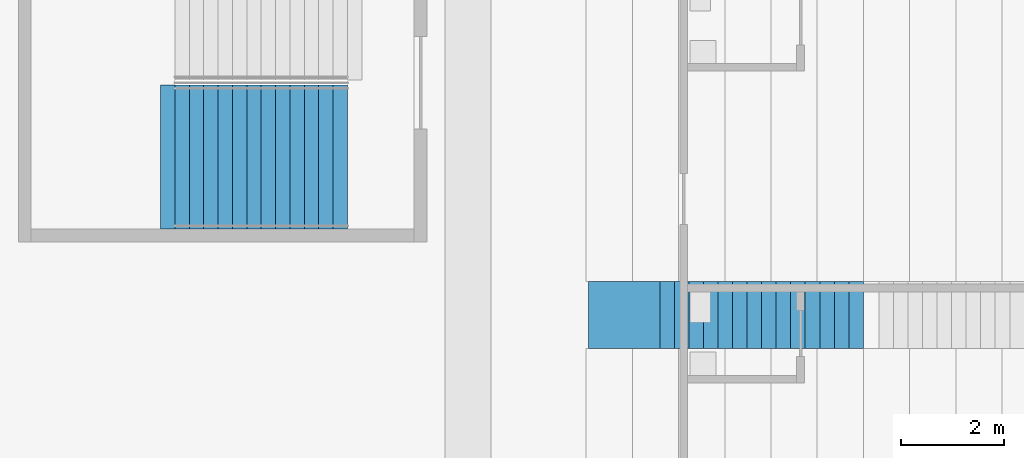
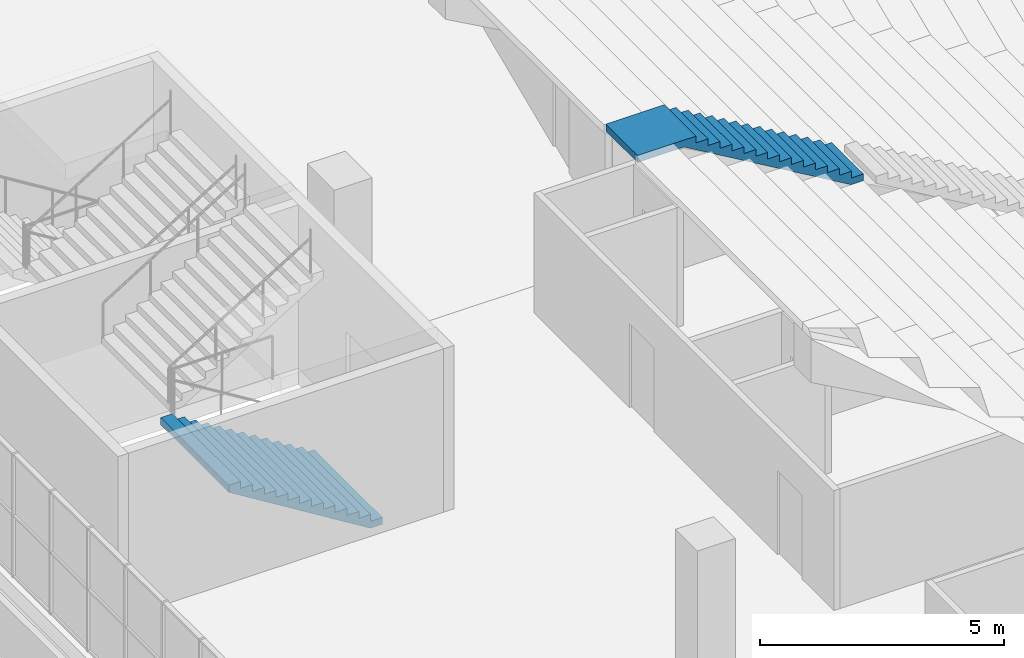
# One storey, part 190 of 249: 2 stair flights, 2 elements without a shape of their own.
"""IFC4 building model written with IfcOpenShell, lengths in metres."""

from ifc_helpers import new_model, si_unit, direction, frame, origin, place, context, subcontext, project, spatial, faceted_brep, material, type_object, element, aggregate, save


model = new_model("IFC4")

# Units and contexts
model_context = context("Model", 3, precision=1e-05, world=origin(), true_north=direction((0.0, 1.0)))
body_context = subcontext(model_context, "Body", "Model", "MODEL_VIEW")
ifc_project = project(units=[si_unit("LENGTHUNIT", "METRE"), si_unit("AREAUNIT", "SQUARE_METRE"), si_unit("VOLUMEUNIT", "CUBIC_METRE"), si_unit("PLANEANGLEUNIT", "RADIAN"), si_unit("MASSUNIT", "GRAM", prefix="KILO")], contexts=[model_context])

# Site, building, storey
site_placement = place(None, origin())
site = spatial("IfcSite", under=ifc_project, at=site_placement, CompositionType="ELEMENT")
building_placement = place(site_placement, origin())
building = spatial("IfcBuilding", under=site, at=building_placement, Name="Ogive Plaza Stadium", CompositionType="ELEMENT")
storey_placement = place(building_placement, frame((0.0, 0.0, 13.5)))
storey = spatial("IfcBuildingStorey", under=building, at=storey_placement, Name="L03", CompositionType="ELEMENT", Elevation=13.5)

# Stair, stair flight
ifc_material_1 = material(Name="Concrete C40/50", Category="concrete")
stair_type_1 = type_object("IfcStairType", Name="Aisle stair", PredefinedType="STRAIGHT_RUN_STAIR", material=ifc_material_1)
stair_1_placement = place(storey_placement, origin())
stair_1 = element("IfcStair", 1, at=stair_1_placement, inside=storey, type_object=stair_type_1, Name="Aisle stair SA27U", PredefinedType="STRAIGHT_RUN_STAIR")
ifc_material_2 = material(Name="Concrete C40/50", Category="concrete")
stair_flight_type_1 = type_object("IfcStairFlightType", Name="Aisle stair flight", PredefinedType="STRAIGHT", material=ifc_material_2)
stair_flight_1_placement = place(storey_placement, frame((-66.300048828125, 45.0, 6.5), z_axis=(0.0, 0.0, 1.0), x_axis=(-1.0, 0.0, 0.0)))
stair_flight_1 = element("IfcStairFlight", 2, at=stair_flight_1_placement, type_object=stair_flight_type_1, Name="SA27U flight 3", NumberOfRisers=15, NumberOfTreads=14, PredefinedType="STRAIGHT", RiserHeight=0.166666667, TreadLength=0.283333333, context=body_context, shape_type="Brep", body=[
    faceted_brep([(0.295654296875, -0.64990234375, 0.0), (4.25, -0.64990234375, 2.326171875), (5.35009765625, -0.64990234375, 2.326171875), (5.35009765625, -0.64990234375, 2.5), (3.966552734375, -0.64990234375, 2.5), (3.966552734375, -0.64990234375, 2.333251953125), (3.683349609375, -0.64990234375, 2.333251953125), (3.683349609375, -0.64990234375, 2.166748046875), (3.39990234375, -0.64990234375, 2.166748046875), (3.39990234375, -0.64990234375, 2.0), (3.11669921875, -0.64990234375, 2.0), (3.11669921875, -0.64990234375, 1.833251953125), (2.833251953125, -0.64990234375, 1.833251953125), (2.833251953125, -0.64990234375, 1.666748046875), (2.550048828125, -0.64990234375, 1.666748046875), (2.550048828125, -0.64990234375, 1.5), (2.2666015625, -0.64990234375, 1.5), (2.2666015625, -0.64990234375, 1.333251953125), (1.9833984375, -0.64990234375, 1.333251953125), (1.9833984375, -0.64990234375, 1.166748046875), (1.699951171875, -0.64990234375, 1.166748046875), (1.699951171875, -0.64990234375, 1.0), (1.416748046875, -0.64990234375, 1.0), (1.416748046875, -0.64990234375, 0.833251953125), (1.13330078125, -0.64990234375, 0.833251953125), (1.13330078125, -0.64990234375, 0.666748046875), (0.85009765625, -0.64990234375, 0.666748046875), (0.85009765625, -0.64990234375, 0.5), (0.566650390625, -0.64990234375, 0.5), (0.566650390625, -0.64990234375, 0.333251953125), (0.283447265625, -0.64990234375, 0.333251953125), (0.283447265625, -0.64990234375, 0.166748046875), (0.0, -0.64990234375, 0.166748046875), (0.0, -0.64990234375, 0.0), (0.0, 0.64990234375, 0.0), (0.0, 0.64990234375, 0.166748046875), (0.283447265625, 0.64990234375, 0.166748046875), (0.283447265625, 0.64990234375, 0.333251953125), (0.566650390625, 0.64990234375, 0.333251953125), (0.566650390625, 0.64990234375, 0.5), (0.85009765625, 0.64990234375, 0.5), (0.85009765625, 0.64990234375, 0.666748046875), (1.13330078125, 0.64990234375, 0.666748046875), (1.13330078125, 0.64990234375, 0.833251953125), (1.416748046875, 0.64990234375, 0.833251953125), (1.416748046875, 0.64990234375, 1.0), (1.699951171875, 0.64990234375, 1.0), (1.699951171875, 0.64990234375, 1.166748046875), (1.9833984375, 0.64990234375, 1.166748046875), (1.9833984375, 0.64990234375, 1.333251953125), (2.2666015625, 0.64990234375, 1.333251953125), (2.2666015625, 0.64990234375, 1.5), (2.550048828125, 0.64990234375, 1.5), (2.550048828125, 0.64990234375, 1.666748046875), (2.833251953125, 0.64990234375, 1.666748046875), (2.833251953125, 0.64990234375, 1.833251953125), (3.11669921875, 0.64990234375, 1.833251953125), (3.11669921875, 0.64990234375, 2.0), (3.39990234375, 0.64990234375, 2.0), (3.39990234375, 0.64990234375, 2.166748046875), (3.683349609375, 0.64990234375, 2.166748046875), (3.683349609375, 0.64990234375, 2.333251953125), (3.966552734375, 0.64990234375, 2.333251953125), (3.966552734375, 0.64990234375, 2.5), (5.35009765625, 0.64990234375, 2.5), (5.35009765625, 0.64990234375, 2.326171875), (4.25, 0.64990234375, 2.326171875), (0.295654296875, 0.64990234375, 0.0), (0.295654296875, -0.324951171875, 0.0), (4.25, -0.324951171875, 2.326171875), (0.295654296875, 0.0, 0.0), (4.25, 0.0, 2.326171875), (0.295654296875, 0.324951171875, 0.0), (4.25, 0.324951171875, 2.326171875), (5.35009765625, -0.324951171875, 2.326171875), (5.35009765625, 0.0, 2.326171875), (5.35009765625, 0.324951171875, 2.326171875), (5.35009765625, -0.324951171875, 2.5), (5.35009765625, 0.0, 2.5), (5.35009765625, 0.324951171875, 2.5), (3.966552734375, -0.324951171875, 2.5), (3.966552734375, 0.0, 2.5), (3.966552734375, 0.324951171875, 2.5), (3.966552734375, -0.324951171875, 2.333251953125), (3.966552734375, 0.0, 2.333251953125), (3.966552734375, 0.324951171875, 2.333251953125), (3.683349609375, -0.324951171875, 2.333251953125), (3.683349609375, 0.0, 2.333251953125), (3.683349609375, 0.324951171875, 2.333251953125), (3.683349609375, -0.324951171875, 2.166748046875), (3.683349609375, 0.0, 2.166748046875), (3.683349609375, 0.324951171875, 2.166748046875), (3.39990234375, -0.324951171875, 2.166748046875), (3.39990234375, 0.0, 2.166748046875), (3.39990234375, 0.324951171875, 2.166748046875), (3.39990234375, -0.324951171875, 2.0), (3.39990234375, 0.0, 2.0), (3.39990234375, 0.324951171875, 2.0), (3.11669921875, -0.324951171875, 2.0), (3.11669921875, 0.0, 2.0), (3.11669921875, 0.324951171875, 2.0), (3.11669921875, -0.324951171875, 1.833251953125), (3.11669921875, 0.0, 1.833251953125), (3.11669921875, 0.324951171875, 1.833251953125), (2.833251953125, -0.324951171875, 1.833251953125), (2.833251953125, 0.0, 1.833251953125), (2.833251953125, 0.324951171875, 1.833251953125), (2.833251953125, -0.324951171875, 1.666748046875), (2.833251953125, 0.0, 1.666748046875), (2.833251953125, 0.324951171875, 1.666748046875), (2.550048828125, -0.324951171875, 1.666748046875), (2.550048828125, 0.0, 1.666748046875), (2.550048828125, 0.324951171875, 1.666748046875), (2.550048828125, -0.324951171875, 1.5), (2.550048828125, 0.0, 1.5), (2.550048828125, 0.324951171875, 1.5), (2.2666015625, -0.324951171875, 1.5), (2.2666015625, 0.0, 1.5), (2.2666015625, 0.324951171875, 1.5), (2.2666015625, -0.324951171875, 1.333251953125), (2.2666015625, 0.0, 1.333251953125), (2.2666015625, 0.324951171875, 1.333251953125), (1.9833984375, -0.324951171875, 1.333251953125), (1.9833984375, 0.0, 1.333251953125), (1.9833984375, 0.324951171875, 1.333251953125), (1.9833984375, -0.324951171875, 1.166748046875), (1.9833984375, 0.0, 1.166748046875), (1.9833984375, 0.324951171875, 1.166748046875), (1.699951171875, -0.324951171875, 1.166748046875), (1.699951171875, 0.0, 1.166748046875), (1.699951171875, 0.324951171875, 1.166748046875), (1.699951171875, -0.324951171875, 1.0), (1.699951171875, 0.0, 1.0), (1.699951171875, 0.324951171875, 1.0), (1.416748046875, -0.324951171875, 1.0), (1.416748046875, 0.0, 1.0), (1.416748046875, 0.324951171875, 1.0), (1.416748046875, -0.324951171875, 0.833251953125), (1.416748046875, 0.0, 0.833251953125), (1.416748046875, 0.324951171875, 0.833251953125), (1.13330078125, -0.324951171875, 0.833251953125), (1.13330078125, 0.0, 0.833251953125), (1.13330078125, 0.324951171875, 0.833251953125), (1.13330078125, -0.324951171875, 0.666748046875), (1.13330078125, 0.0, 0.666748046875), (1.13330078125, 0.324951171875, 0.666748046875), (0.85009765625, -0.324951171875, 0.666748046875), (0.85009765625, 0.0, 0.666748046875), (0.85009765625, 0.324951171875, 0.666748046875), (0.85009765625, -0.324951171875, 0.5), (0.85009765625, 0.0, 0.5), (0.85009765625, 0.324951171875, 0.5), (0.566650390625, -0.324951171875, 0.5), (0.566650390625, 0.0, 0.5), (0.566650390625, 0.324951171875, 0.5), (0.566650390625, -0.324951171875, 0.333251953125), (0.566650390625, 0.0, 0.333251953125), (0.566650390625, 0.324951171875, 0.333251953125), (0.283447265625, -0.324951171875, 0.333251953125), (0.283447265625, 0.0, 0.333251953125), (0.283447265625, 0.324951171875, 0.333251953125), (0.283447265625, -0.324951171875, 0.166748046875), (0.283447265625, 0.0, 0.166748046875), (0.283447265625, 0.324951171875, 0.166748046875), (0.0, -0.324951171875, 0.166748046875), (0.0, 0.0, 0.166748046875), (0.0, 0.324951171875, 0.166748046875), (0.0, -0.324951171875, 0.0), (0.0, 0.0, 0.0), (0.0, 0.324951171875, 0.0)], [[[0, 1, 2, 3, 4, 5, 6, 7, 8, 9, 10, 11, 12, 13, 14, 15, 16, 17, 18, 19, 20, 21, 22, 23, 24, 25, 26, 27, 28, 29, 30, 31, 32, 33]], [[34, 35, 36, 37, 38, 39, 40, 41, 42, 43, 44, 45, 46, 47, 48, 49, 50, 51, 52, 53, 54, 55, 56, 57, 58, 59, 60, 61, 62, 63, 64, 65, 66, 67]], [[0, 68, 69, 1]], [[68, 70, 71, 69]], [[70, 72, 73, 71]], [[72, 67, 66, 73]], [[1, 69, 74, 2]], [[69, 71, 75, 74]], [[71, 73, 76, 75]], [[73, 66, 65, 76]], [[2, 74, 77, 3]], [[74, 75, 78, 77]], [[75, 76, 79, 78]], [[76, 65, 64, 79]], [[3, 77, 80, 4]], [[77, 78, 81, 80]], [[78, 79, 82, 81]], [[79, 64, 63, 82]], [[4, 80, 83, 5]], [[80, 81, 84, 83]], [[81, 82, 85, 84]], [[82, 63, 62, 85]], [[5, 83, 86, 6]], [[83, 84, 87, 86]], [[84, 85, 88, 87]], [[85, 62, 61, 88]], [[6, 86, 89, 7]], [[86, 87, 90, 89]], [[87, 88, 91, 90]], [[88, 61, 60, 91]], [[7, 89, 92, 8]], [[89, 90, 93, 92]], [[90, 91, 94, 93]], [[91, 60, 59, 94]], [[8, 92, 95, 9]], [[92, 93, 96, 95]], [[93, 94, 97, 96]], [[94, 59, 58, 97]], [[9, 95, 98, 10]], [[95, 96, 99, 98]], [[96, 97, 100, 99]], [[97, 58, 57, 100]], [[10, 98, 101, 11]], [[98, 99, 102, 101]], [[99, 100, 103, 102]], [[100, 57, 56, 103]], [[11, 101, 104, 12]], [[101, 102, 105, 104]], [[102, 103, 106, 105]], [[103, 56, 55, 106]], [[12, 104, 107, 13]], [[104, 105, 108, 107]], [[105, 106, 109, 108]], [[106, 55, 54, 109]], [[13, 107, 110, 14]], [[107, 108, 111, 110]], [[108, 109, 112, 111]], [[109, 54, 53, 112]], [[14, 110, 113, 15]], [[110, 111, 114, 113]], [[111, 112, 115, 114]], [[112, 53, 52, 115]], [[15, 113, 116, 16]], [[113, 114, 117, 116]], [[114, 115, 118, 117]], [[115, 52, 51, 118]], [[16, 116, 119, 17]], [[116, 117, 120, 119]], [[117, 118, 121, 120]], [[118, 51, 50, 121]], [[17, 119, 122, 18]], [[119, 120, 123, 122]], [[120, 121, 124, 123]], [[121, 50, 49, 124]], [[18, 122, 125, 19]], [[122, 123, 126, 125]], [[123, 124, 127, 126]], [[124, 49, 48, 127]], [[19, 125, 128, 20]], [[125, 126, 129, 128]], [[126, 127, 130, 129]], [[127, 48, 47, 130]], [[20, 128, 131, 21]], [[128, 129, 132, 131]], [[129, 130, 133, 132]], [[130, 47, 46, 133]], [[21, 131, 134, 22]], [[131, 132, 135, 134]], [[132, 133, 136, 135]], [[133, 46, 45, 136]], [[22, 134, 137, 23]], [[134, 135, 138, 137]], [[135, 136, 139, 138]], [[136, 45, 44, 139]], [[23, 137, 140, 24]], [[137, 138, 141, 140]], [[138, 139, 142, 141]], [[139, 44, 43, 142]], [[24, 140, 143, 25]], [[140, 141, 144, 143]], [[141, 142, 145, 144]], [[142, 43, 42, 145]], [[25, 143, 146, 26]], [[143, 144, 147, 146]], [[144, 145, 148, 147]], [[145, 42, 41, 148]], [[26, 146, 149, 27]], [[146, 147, 150, 149]], [[147, 148, 151, 150]], [[148, 41, 40, 151]], [[27, 149, 152, 28]], [[149, 150, 153, 152]], [[150, 151, 154, 153]], [[151, 40, 39, 154]], [[28, 152, 155, 29]], [[152, 153, 156, 155]], [[153, 154, 157, 156]], [[154, 39, 38, 157]], [[29, 155, 158, 30]], [[155, 156, 159, 158]], [[156, 157, 160, 159]], [[157, 38, 37, 160]], [[30, 158, 161, 31]], [[158, 159, 162, 161]], [[159, 160, 163, 162]], [[160, 37, 36, 163]], [[31, 161, 164, 32]], [[161, 162, 165, 164]], [[162, 163, 166, 165]], [[163, 36, 35, 166]], [[32, 164, 167, 33]], [[164, 165, 168, 167]], [[165, 166, 169, 168]], [[166, 35, 34, 169]], [[33, 167, 68, 0]], [[167, 168, 70, 68]], [[168, 169, 72, 70]], [[169, 34, 67, 72]]]),
])
aggregate(stair_1, [stair_flight_1])

ifc_material_3 = material(Name="Concrete C40/50", Category="concrete")
stair_type_2 = type_object("IfcStairType", Name="Exit stair", PredefinedType="STRAIGHT_RUN_STAIR", material=ifc_material_3)
stair_2_placement = place(storey_placement, origin())
stair_2 = element("IfcStair", 3, at=stair_2_placement, inside=storey, type_object=stair_type_2, Name="Exit stair ST28B L03 to L04", PredefinedType="STRAIGHT_RUN_STAIR")
ifc_material_4 = material(Name="Concrete C40/50", Category="concrete")
stair_flight_type_2 = type_object("IfcStairFlightType", Name="Exit stair flight", PredefinedType="STRAIGHT", material=ifc_material_4)
stair_flight_2_placement = place(storey_placement, frame((-76.35009765625, 48.074951171875, 0.0), z_axis=(0.0, 0.0, 1.0), x_axis=(-1.0, 0.0, 0.0)))
stair_flight_2 = element("IfcStairFlight", 4, at=stair_flight_2_placement, type_object=stair_flight_type_2, Name="ST28B flight 1", NumberOfRisers=13, NumberOfTreads=12, PredefinedType="STRAIGHT", RiserHeight=0.173076923, TreadLength=0.28, context=body_context, shape_type="Brep", body=[
    faceted_brep([(0.28515625, -1.39990234375, 0.0), (3.639892578125, -1.39990234375, 2.07373046875), (3.639892578125, -1.39990234375, 2.25), (3.360107421875, -1.39990234375, 2.25), (3.360107421875, -1.39990234375, 2.076904296875), (3.080078125, -1.39990234375, 2.076904296875), (3.080078125, -1.39990234375, 1.90380859375), (2.800048828125, -1.39990234375, 1.90380859375), (2.800048828125, -1.39990234375, 1.730712890625), (2.52001953125, -1.39990234375, 1.730712890625), (2.52001953125, -1.39990234375, 1.5576171875), (2.239990234375, -1.39990234375, 1.5576171875), (2.239990234375, -1.39990234375, 1.384521484375), (1.9599609375, -1.39990234375, 1.384521484375), (1.9599609375, -1.39990234375, 1.21142578125), (1.679931640625, -1.39990234375, 1.21142578125), (1.679931640625, -1.39990234375, 1.03857421875), (1.39990234375, -1.39990234375, 1.03857421875), (1.39990234375, -1.39990234375, 0.865478515625), (1.1201171875, -1.39990234375, 0.865478515625), (1.1201171875, -1.39990234375, 0.6923828125), (0.840087890625, -1.39990234375, 0.6923828125), (0.840087890625, -1.39990234375, 0.519287109375), (0.56005859375, -1.39990234375, 0.519287109375), (0.56005859375, -1.39990234375, 0.34619140625), (0.280029296875, -1.39990234375, 0.34619140625), (0.280029296875, -1.39990234375, 0.173095703125), (0.0, -1.39990234375, 0.173095703125), (0.0, -1.39990234375, 0.0), (0.0, 1.39990234375, 0.0), (0.0, 1.39990234375, 0.173095703125), (0.280029296875, 1.39990234375, 0.173095703125), (0.280029296875, 1.39990234375, 0.34619140625), (0.56005859375, 1.39990234375, 0.34619140625), (0.56005859375, 1.39990234375, 0.519287109375), (0.840087890625, 1.39990234375, 0.519287109375), (0.840087890625, 1.39990234375, 0.6923828125), (1.1201171875, 1.39990234375, 0.6923828125), (1.1201171875, 1.39990234375, 0.865478515625), (1.39990234375, 1.39990234375, 0.865478515625), (1.39990234375, 1.39990234375, 1.03857421875), (1.679931640625, 1.39990234375, 1.03857421875), (1.679931640625, 1.39990234375, 1.21142578125), (1.9599609375, 1.39990234375, 1.21142578125), (1.9599609375, 1.39990234375, 1.384521484375), (2.239990234375, 1.39990234375, 1.384521484375), (2.239990234375, 1.39990234375, 1.5576171875), (2.52001953125, 1.39990234375, 1.5576171875), (2.52001953125, 1.39990234375, 1.730712890625), (2.800048828125, 1.39990234375, 1.730712890625), (2.800048828125, 1.39990234375, 1.90380859375), (3.080078125, 1.39990234375, 1.90380859375), (3.080078125, 1.39990234375, 2.076904296875), (3.360107421875, 1.39990234375, 2.076904296875), (3.360107421875, 1.39990234375, 2.25), (3.639892578125, 1.39990234375, 2.25), (3.639892578125, 1.39990234375, 2.07373046875), (0.28515625, 1.39990234375, 0.0), (0.28515625, -1.0888671875, 0.0), (3.639892578125, -1.0888671875, 2.07373046875), (0.28515625, -0.77783203125, 0.0), (3.639892578125, -0.77783203125, 2.07373046875), (0.28515625, -0.466796875, 0.0), (3.639892578125, -0.466796875, 2.07373046875), (0.28515625, -0.155517578125, 0.0), (3.639892578125, -0.155517578125, 2.07373046875), (0.28515625, 0.155517578125, 0.0), (3.639892578125, 0.155517578125, 2.07373046875), (0.28515625, 0.466796875, 0.0), (3.639892578125, 0.466796875, 2.07373046875), (0.28515625, 0.77783203125, 0.0), (3.639892578125, 0.77783203125, 2.07373046875), (0.28515625, 1.0888671875, 0.0), (3.639892578125, 1.0888671875, 2.07373046875), (3.639892578125, -1.0888671875, 2.25), (3.639892578125, -0.77783203125, 2.25), (3.639892578125, -0.466796875, 2.25), (3.639892578125, -0.155517578125, 2.25), (3.639892578125, 0.155517578125, 2.25), (3.639892578125, 0.466796875, 2.25), (3.639892578125, 0.77783203125, 2.25), (3.639892578125, 1.0888671875, 2.25), (3.360107421875, -1.0888671875, 2.25), (3.360107421875, -0.77783203125, 2.25), (3.360107421875, -0.466796875, 2.25), (3.360107421875, -0.155517578125, 2.25), (3.360107421875, 0.155517578125, 2.25), (3.360107421875, 0.466796875, 2.25), (3.360107421875, 0.77783203125, 2.25), (3.360107421875, 1.0888671875, 2.25), (3.360107421875, -1.0888671875, 2.076904296875), (3.360107421875, -0.77783203125, 2.076904296875), (3.360107421875, -0.466796875, 2.076904296875), (3.360107421875, -0.155517578125, 2.076904296875), (3.360107421875, 0.155517578125, 2.076904296875), (3.360107421875, 0.466796875, 2.076904296875), (3.360107421875, 0.77783203125, 2.076904296875), (3.360107421875, 1.0888671875, 2.076904296875), (3.080078125, -1.0888671875, 2.076904296875), (3.080078125, -0.77783203125, 2.076904296875), (3.080078125, -0.466796875, 2.076904296875), (3.080078125, -0.155517578125, 2.076904296875), (3.080078125, 0.155517578125, 2.076904296875), (3.080078125, 0.466796875, 2.076904296875), (3.080078125, 0.77783203125, 2.076904296875), (3.080078125, 1.0888671875, 2.076904296875), (3.080078125, -1.0888671875, 1.90380859375), (3.080078125, -0.77783203125, 1.90380859375), (3.080078125, -0.466796875, 1.90380859375), (3.080078125, -0.155517578125, 1.90380859375), (3.080078125, 0.155517578125, 1.90380859375), (3.080078125, 0.466796875, 1.90380859375), (3.080078125, 0.77783203125, 1.90380859375), (3.080078125, 1.0888671875, 1.90380859375), (2.800048828125, -1.0888671875, 1.90380859375), (2.800048828125, -0.77783203125, 1.90380859375), (2.800048828125, -0.466796875, 1.90380859375), (2.800048828125, -0.155517578125, 1.90380859375), (2.800048828125, 0.155517578125, 1.90380859375), (2.800048828125, 0.466796875, 1.90380859375), (2.800048828125, 0.77783203125, 1.90380859375), (2.800048828125, 1.0888671875, 1.90380859375), (2.800048828125, -1.0888671875, 1.730712890625), (2.800048828125, -0.77783203125, 1.730712890625), (2.800048828125, -0.466796875, 1.730712890625), (2.800048828125, -0.155517578125, 1.730712890625), (2.800048828125, 0.155517578125, 1.730712890625), (2.800048828125, 0.466796875, 1.730712890625), (2.800048828125, 0.77783203125, 1.730712890625), (2.800048828125, 1.0888671875, 1.730712890625), (2.52001953125, -1.0888671875, 1.730712890625), (2.52001953125, -0.77783203125, 1.730712890625), (2.52001953125, -0.466796875, 1.730712890625), (2.52001953125, -0.155517578125, 1.730712890625), (2.52001953125, 0.155517578125, 1.730712890625), (2.52001953125, 0.466796875, 1.730712890625), (2.52001953125, 0.77783203125, 1.730712890625), (2.52001953125, 1.0888671875, 1.730712890625), (2.52001953125, -1.0888671875, 1.5576171875), (2.52001953125, -0.77783203125, 1.5576171875), (2.52001953125, -0.466796875, 1.5576171875), (2.52001953125, -0.155517578125, 1.5576171875), (2.52001953125, 0.155517578125, 1.5576171875), (2.52001953125, 0.466796875, 1.5576171875), (2.52001953125, 0.77783203125, 1.5576171875), (2.52001953125, 1.0888671875, 1.5576171875), (2.239990234375, -1.0888671875, 1.5576171875), (2.239990234375, -0.77783203125, 1.5576171875), (2.239990234375, -0.466796875, 1.5576171875), (2.239990234375, -0.155517578125, 1.5576171875), (2.239990234375, 0.155517578125, 1.5576171875), (2.239990234375, 0.466796875, 1.5576171875), (2.239990234375, 0.77783203125, 1.5576171875), (2.239990234375, 1.0888671875, 1.5576171875), (2.239990234375, -1.0888671875, 1.384521484375), (2.239990234375, -0.77783203125, 1.384521484375), (2.239990234375, -0.466796875, 1.384521484375), (2.239990234375, -0.155517578125, 1.384521484375), (2.239990234375, 0.155517578125, 1.384521484375), (2.239990234375, 0.466796875, 1.384521484375), (2.239990234375, 0.77783203125, 1.384521484375), (2.239990234375, 1.0888671875, 1.384521484375), (1.9599609375, -1.0888671875, 1.384521484375), (1.9599609375, -0.77783203125, 1.384521484375), (1.9599609375, -0.466796875, 1.384521484375), (1.9599609375, -0.155517578125, 1.384521484375), (1.9599609375, 0.155517578125, 1.384521484375), (1.9599609375, 0.466796875, 1.384521484375), (1.9599609375, 0.77783203125, 1.384521484375), (1.9599609375, 1.0888671875, 1.384521484375), (1.9599609375, -1.0888671875, 1.21142578125), (1.9599609375, -0.77783203125, 1.21142578125), (1.9599609375, -0.466796875, 1.21142578125), (1.9599609375, -0.155517578125, 1.21142578125), (1.9599609375, 0.155517578125, 1.21142578125), (1.9599609375, 0.466796875, 1.21142578125), (1.9599609375, 0.77783203125, 1.21142578125), (1.9599609375, 1.0888671875, 1.21142578125), (1.679931640625, -1.0888671875, 1.21142578125), (1.679931640625, -0.77783203125, 1.21142578125), (1.679931640625, -0.466796875, 1.21142578125), (1.679931640625, -0.155517578125, 1.21142578125), (1.679931640625, 0.155517578125, 1.21142578125), (1.679931640625, 0.466796875, 1.21142578125), (1.679931640625, 0.77783203125, 1.21142578125), (1.679931640625, 1.0888671875, 1.21142578125), (1.679931640625, -1.0888671875, 1.03857421875), (1.679931640625, -0.77783203125, 1.03857421875), (1.679931640625, -0.466796875, 1.03857421875), (1.679931640625, -0.155517578125, 1.03857421875), (1.679931640625, 0.155517578125, 1.03857421875), (1.679931640625, 0.466796875, 1.03857421875), (1.679931640625, 0.77783203125, 1.03857421875), (1.679931640625, 1.0888671875, 1.03857421875), (1.39990234375, -1.0888671875, 1.03857421875), (1.39990234375, -0.77783203125, 1.03857421875), (1.39990234375, -0.466796875, 1.03857421875), (1.39990234375, -0.155517578125, 1.03857421875), (1.39990234375, 0.155517578125, 1.03857421875), (1.39990234375, 0.466796875, 1.03857421875), (1.39990234375, 0.77783203125, 1.03857421875), (1.39990234375, 1.0888671875, 1.03857421875), (1.39990234375, -1.0888671875, 0.865478515625), (1.39990234375, -0.77783203125, 0.865478515625), (1.39990234375, -0.466796875, 0.865478515625), (1.39990234375, -0.155517578125, 0.865478515625), (1.39990234375, 0.155517578125, 0.865478515625), (1.39990234375, 0.466796875, 0.865478515625), (1.39990234375, 0.77783203125, 0.865478515625), (1.39990234375, 1.0888671875, 0.865478515625), (1.1201171875, -1.0888671875, 0.865478515625), (1.1201171875, -0.77783203125, 0.865478515625), (1.1201171875, -0.466796875, 0.865478515625), (1.1201171875, -0.155517578125, 0.865478515625), (1.1201171875, 0.155517578125, 0.865478515625), (1.1201171875, 0.466796875, 0.865478515625), (1.1201171875, 0.77783203125, 0.865478515625), (1.1201171875, 1.0888671875, 0.865478515625), (1.1201171875, -1.0888671875, 0.6923828125), (1.1201171875, -0.77783203125, 0.6923828125), (1.1201171875, -0.466796875, 0.6923828125), (1.1201171875, -0.155517578125, 0.6923828125), (1.1201171875, 0.155517578125, 0.6923828125), (1.1201171875, 0.466796875, 0.6923828125), (1.1201171875, 0.77783203125, 0.6923828125), (1.1201171875, 1.0888671875, 0.6923828125), (0.840087890625, -1.0888671875, 0.6923828125), (0.840087890625, -0.77783203125, 0.6923828125), (0.840087890625, -0.466796875, 0.6923828125), (0.840087890625, -0.155517578125, 0.6923828125), (0.840087890625, 0.155517578125, 0.6923828125), (0.840087890625, 0.466796875, 0.6923828125), (0.840087890625, 0.77783203125, 0.6923828125), (0.840087890625, 1.0888671875, 0.6923828125), (0.840087890625, -1.0888671875, 0.519287109375), (0.840087890625, -0.77783203125, 0.519287109375), (0.840087890625, -0.466796875, 0.519287109375), (0.840087890625, -0.155517578125, 0.519287109375), (0.840087890625, 0.155517578125, 0.519287109375), (0.840087890625, 0.466796875, 0.519287109375), (0.840087890625, 0.77783203125, 0.519287109375), (0.840087890625, 1.0888671875, 0.519287109375), (0.56005859375, -1.0888671875, 0.519287109375), (0.56005859375, -0.77783203125, 0.519287109375), (0.56005859375, -0.466796875, 0.519287109375), (0.56005859375, -0.155517578125, 0.519287109375), (0.56005859375, 0.155517578125, 0.519287109375), (0.56005859375, 0.466796875, 0.519287109375), (0.56005859375, 0.77783203125, 0.519287109375), (0.56005859375, 1.0888671875, 0.519287109375), (0.56005859375, -1.0888671875, 0.34619140625), (0.56005859375, -0.77783203125, 0.34619140625), (0.56005859375, -0.466796875, 0.34619140625), (0.56005859375, -0.155517578125, 0.34619140625), (0.56005859375, 0.155517578125, 0.34619140625), (0.56005859375, 0.466796875, 0.34619140625), (0.56005859375, 0.77783203125, 0.34619140625), (0.56005859375, 1.0888671875, 0.34619140625), (0.280029296875, -1.0888671875, 0.34619140625), (0.280029296875, -0.77783203125, 0.34619140625), (0.280029296875, -0.466796875, 0.34619140625), (0.280029296875, -0.155517578125, 0.34619140625), (0.280029296875, 0.155517578125, 0.34619140625), (0.280029296875, 0.466796875, 0.34619140625), (0.280029296875, 0.77783203125, 0.34619140625), (0.280029296875, 1.0888671875, 0.34619140625), (0.280029296875, -1.0888671875, 0.173095703125), (0.280029296875, -0.77783203125, 0.173095703125), (0.280029296875, -0.466796875, 0.173095703125), (0.280029296875, -0.155517578125, 0.173095703125), (0.280029296875, 0.155517578125, 0.173095703125), (0.280029296875, 0.466796875, 0.173095703125), (0.280029296875, 0.77783203125, 0.173095703125), (0.280029296875, 1.0888671875, 0.173095703125), (0.0, -1.0888671875, 0.173095703125), (0.0, -0.77783203125, 0.173095703125), (0.0, -0.466796875, 0.173095703125), (0.0, -0.155517578125, 0.173095703125), (0.0, 0.155517578125, 0.173095703125), (0.0, 0.466796875, 0.173095703125), (0.0, 0.77783203125, 0.173095703125), (0.0, 1.0888671875, 0.173095703125), (0.0, -1.0888671875, 0.0), (0.0, -0.77783203125, 0.0), (0.0, -0.466796875, 0.0), (0.0, -0.155517578125, 0.0), (0.0, 0.155517578125, 0.0), (0.0, 0.466796875, 0.0), (0.0, 0.77783203125, 0.0), (0.0, 1.0888671875, 0.0)], [[[0, 1, 2, 3, 4, 5, 6, 7, 8, 9, 10, 11, 12, 13, 14, 15, 16, 17, 18, 19, 20, 21, 22, 23, 24, 25, 26, 27, 28]], [[29, 30, 31, 32, 33, 34, 35, 36, 37, 38, 39, 40, 41, 42, 43, 44, 45, 46, 47, 48, 49, 50, 51, 52, 53, 54, 55, 56, 57]], [[0, 58, 59, 1]], [[58, 60, 61, 59]], [[60, 62, 63, 61]], [[62, 64, 65, 63]], [[64, 66, 67, 65]], [[66, 68, 69, 67]], [[68, 70, 71, 69]], [[70, 72, 73, 71]], [[72, 57, 56, 73]], [[1, 59, 74, 2]], [[59, 61, 75, 74]], [[61, 63, 76, 75]], [[63, 65, 77, 76]], [[65, 67, 78, 77]], [[67, 69, 79, 78]], [[69, 71, 80, 79]], [[71, 73, 81, 80]], [[73, 56, 55, 81]], [[2, 74, 82, 3]], [[74, 75, 83, 82]], [[75, 76, 84, 83]], [[76, 77, 85, 84]], [[77, 78, 86, 85]], [[78, 79, 87, 86]], [[79, 80, 88, 87]], [[80, 81, 89, 88]], [[81, 55, 54, 89]], [[3, 82, 90, 4]], [[82, 83, 91, 90]], [[83, 84, 92, 91]], [[84, 85, 93, 92]], [[85, 86, 94, 93]], [[86, 87, 95, 94]], [[87, 88, 96, 95]], [[88, 89, 97, 96]], [[89, 54, 53, 97]], [[4, 90, 98, 5]], [[90, 91, 99, 98]], [[91, 92, 100, 99]], [[92, 93, 101, 100]], [[93, 94, 102, 101]], [[94, 95, 103, 102]], [[95, 96, 104, 103]], [[96, 97, 105, 104]], [[97, 53, 52, 105]], [[5, 98, 106, 6]], [[98, 99, 107, 106]], [[99, 100, 108, 107]], [[100, 101, 109, 108]], [[101, 102, 110, 109]], [[102, 103, 111, 110]], [[103, 104, 112, 111]], [[104, 105, 113, 112]], [[105, 52, 51, 113]], [[6, 106, 114, 7]], [[106, 107, 115, 114]], [[107, 108, 116, 115]], [[108, 109, 117, 116]], [[109, 110, 118, 117]], [[110, 111, 119, 118]], [[111, 112, 120, 119]], [[112, 113, 121, 120]], [[113, 51, 50, 121]], [[7, 114, 122, 8]], [[114, 115, 123, 122]], [[115, 116, 124, 123]], [[116, 117, 125, 124]], [[117, 118, 126, 125]], [[118, 119, 127, 126]], [[119, 120, 128, 127]], [[120, 121, 129, 128]], [[121, 50, 49, 129]], [[8, 122, 130, 9]], [[122, 123, 131, 130]], [[123, 124, 132, 131]], [[124, 125, 133, 132]], [[125, 126, 134, 133]], [[126, 127, 135, 134]], [[127, 128, 136, 135]], [[128, 129, 137, 136]], [[129, 49, 48, 137]], [[9, 130, 138, 10]], [[130, 131, 139, 138]], [[131, 132, 140, 139]], [[132, 133, 141, 140]], [[133, 134, 142, 141]], [[134, 135, 143, 142]], [[135, 136, 144, 143]], [[136, 137, 145, 144]], [[137, 48, 47, 145]], [[10, 138, 146, 11]], [[138, 139, 147, 146]], [[139, 140, 148, 147]], [[140, 141, 149, 148]], [[141, 142, 150, 149]], [[142, 143, 151, 150]], [[143, 144, 152, 151]], [[144, 145, 153, 152]], [[145, 47, 46, 153]], [[11, 146, 154, 12]], [[146, 147, 155, 154]], [[147, 148, 156, 155]], [[148, 149, 157, 156]], [[149, 150, 158, 157]], [[150, 151, 159, 158]], [[151, 152, 160, 159]], [[152, 153, 161, 160]], [[153, 46, 45, 161]], [[12, 154, 162, 13]], [[154, 155, 163, 162]], [[155, 156, 164, 163]], [[156, 157, 165, 164]], [[157, 158, 166, 165]], [[158, 159, 167, 166]], [[159, 160, 168, 167]], [[160, 161, 169, 168]], [[161, 45, 44, 169]], [[13, 162, 170, 14]], [[162, 163, 171, 170]], [[163, 164, 172, 171]], [[164, 165, 173, 172]], [[165, 166, 174, 173]], [[166, 167, 175, 174]], [[167, 168, 176, 175]], [[168, 169, 177, 176]], [[169, 44, 43, 177]], [[14, 170, 178, 15]], [[170, 171, 179, 178]], [[171, 172, 180, 179]], [[172, 173, 181, 180]], [[173, 174, 182, 181]], [[174, 175, 183, 182]], [[175, 176, 184, 183]], [[176, 177, 185, 184]], [[177, 43, 42, 185]], [[15, 178, 186, 16]], [[178, 179, 187, 186]], [[179, 180, 188, 187]], [[180, 181, 189, 188]], [[181, 182, 190, 189]], [[182, 183, 191, 190]], [[183, 184, 192, 191]], [[184, 185, 193, 192]], [[185, 42, 41, 193]], [[16, 186, 194, 17]], [[186, 187, 195, 194]], [[187, 188, 196, 195]], [[188, 189, 197, 196]], [[189, 190, 198, 197]], [[190, 191, 199, 198]], [[191, 192, 200, 199]], [[192, 193, 201, 200]], [[193, 41, 40, 201]], [[17, 194, 202, 18]], [[194, 195, 203, 202]], [[195, 196, 204, 203]], [[196, 197, 205, 204]], [[197, 198, 206, 205]], [[198, 199, 207, 206]], [[199, 200, 208, 207]], [[200, 201, 209, 208]], [[201, 40, 39, 209]], [[18, 202, 210, 19]], [[202, 203, 211, 210]], [[203, 204, 212, 211]], [[204, 205, 213, 212]], [[205, 206, 214, 213]], [[206, 207, 215, 214]], [[207, 208, 216, 215]], [[208, 209, 217, 216]], [[209, 39, 38, 217]], [[19, 210, 218, 20]], [[210, 211, 219, 218]], [[211, 212, 220, 219]], [[212, 213, 221, 220]], [[213, 214, 222, 221]], [[214, 215, 223, 222]], [[215, 216, 224, 223]], [[216, 217, 225, 224]], [[217, 38, 37, 225]], [[20, 218, 226, 21]], [[218, 219, 227, 226]], [[219, 220, 228, 227]], [[220, 221, 229, 228]], [[221, 222, 230, 229]], [[222, 223, 231, 230]], [[223, 224, 232, 231]], [[224, 225, 233, 232]], [[225, 37, 36, 233]], [[21, 226, 234, 22]], [[226, 227, 235, 234]], [[227, 228, 236, 235]], [[228, 229, 237, 236]], [[229, 230, 238, 237]], [[230, 231, 239, 238]], [[231, 232, 240, 239]], [[232, 233, 241, 240]], [[233, 36, 35, 241]], [[22, 234, 242, 23]], [[234, 235, 243, 242]], [[235, 236, 244, 243]], [[236, 237, 245, 244]], [[237, 238, 246, 245]], [[238, 239, 247, 246]], [[239, 240, 248, 247]], [[240, 241, 249, 248]], [[241, 35, 34, 249]], [[23, 242, 250, 24]], [[242, 243, 251, 250]], [[243, 244, 252, 251]], [[244, 245, 253, 252]], [[245, 246, 254, 253]], [[246, 247, 255, 254]], [[247, 248, 256, 255]], [[248, 249, 257, 256]], [[249, 34, 33, 257]], [[24, 250, 258, 25]], [[250, 251, 259, 258]], [[251, 252, 260, 259]], [[252, 253, 261, 260]], [[253, 254, 262, 261]], [[254, 255, 263, 262]], [[255, 256, 264, 263]], [[256, 257, 265, 264]], [[257, 33, 32, 265]], [[25, 258, 266, 26]], [[258, 259, 267, 266]], [[259, 260, 268, 267]], [[260, 261, 269, 268]], [[261, 262, 270, 269]], [[262, 263, 271, 270]], [[263, 264, 272, 271]], [[264, 265, 273, 272]], [[265, 32, 31, 273]], [[26, 266, 274, 27]], [[266, 267, 275, 274]], [[267, 268, 276, 275]], [[268, 269, 277, 276]], [[269, 270, 278, 277]], [[270, 271, 279, 278]], [[271, 272, 280, 279]], [[272, 273, 281, 280]], [[273, 31, 30, 281]], [[27, 274, 282, 28]], [[274, 275, 283, 282]], [[275, 276, 284, 283]], [[276, 277, 285, 284]], [[277, 278, 286, 285]], [[278, 279, 287, 286]], [[279, 280, 288, 287]], [[280, 281, 289, 288]], [[281, 30, 29, 289]], [[28, 282, 58, 0]], [[282, 283, 60, 58]], [[283, 284, 62, 60]], [[284, 285, 64, 62]], [[285, 286, 66, 64]], [[286, 287, 68, 66]], [[287, 288, 70, 68]], [[288, 289, 72, 70]], [[289, 29, 57, 72]]]),
])
aggregate(stair_2, [stair_flight_2])

save(model, "model.ifc")
